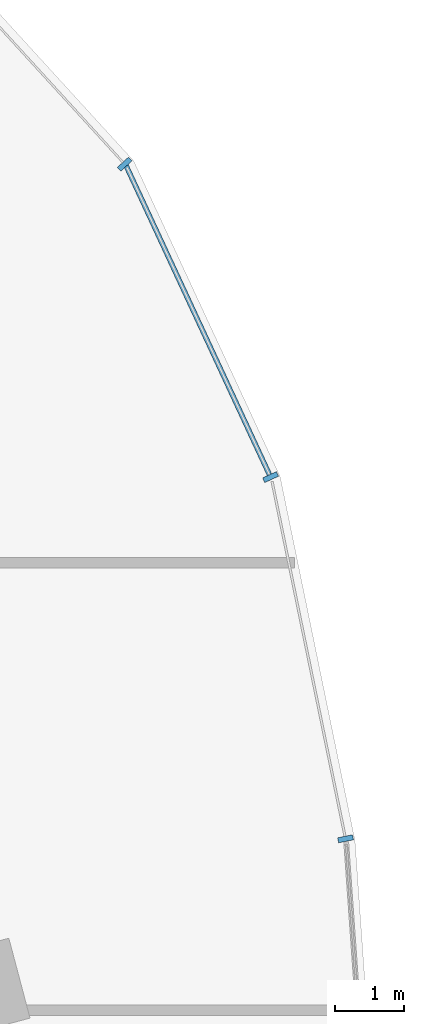
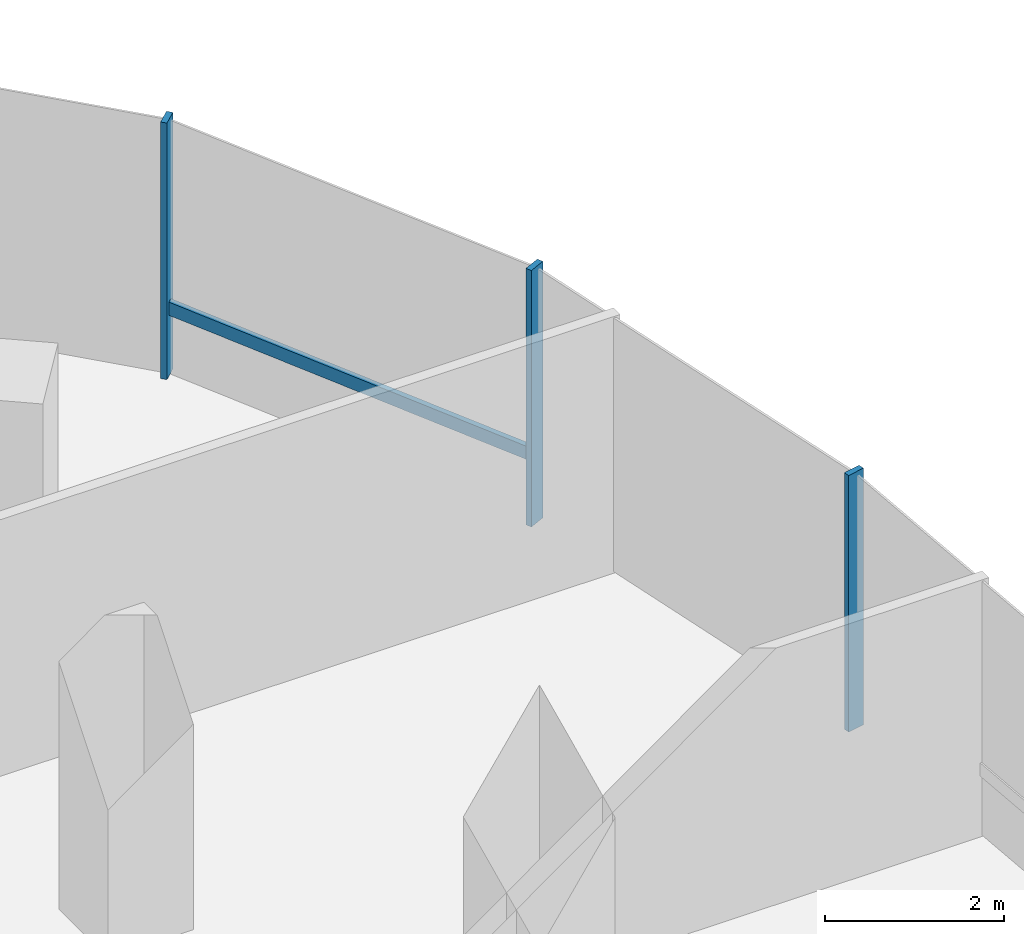
# One storey, part 8 of 22: 4 members, 1 element without a shape of its own.
"""IFC4 building model written with IfcOpenShell, lengths in metres."""

from ifc_helpers import new_model, si_unit, direction, frame, origin, origin_2d, place, context, subcontext, project, spatial, rectangle, extrude, material, material_profile, profile_set, type_object, element, aggregate, save


model = new_model("IFC4")

# Units and contexts
model_context = context("Model", 3, precision=1e-05, world=origin(), true_north=direction((0.0, 1.0)))
body_context = subcontext(model_context, "Body", "Model", "MODEL_VIEW")
ifc_project = project(units=[si_unit("LENGTHUNIT", "METRE"), si_unit("AREAUNIT", "SQUARE_METRE"), si_unit("VOLUMEUNIT", "CUBIC_METRE"), si_unit("PLANEANGLEUNIT", "RADIAN"), si_unit("MASSUNIT", "GRAM", prefix="KILO"), si_unit("THERMODYNAMICTEMPERATUREUNIT", "KELVIN"), si_unit("POWERUNIT", "WATT")], contexts=[model_context])

# Site, building, storey
site_placement = place(None, origin())
site = spatial("IfcSite", under=ifc_project, at=site_placement, CompositionType="ELEMENT")
building_placement = place(site_placement, origin())
building = spatial("IfcBuilding", under=site, at=building_placement, Name="Cundina Bronze Exchange", CompositionType="ELEMENT")
storey_placement = place(building_placement, frame((0.0, 0.0, 35.39990234375)))
storey = spatial("IfcBuildingStorey", under=building, at=storey_placement, Name="L08", CompositionType="ELEMENT", Elevation=35.39990234375)

# Curtain wall, members
ifc_material = material(Name="Anodised Bronze Aluminium 6063-T6", Category="aluminium")
curtain_wall_type = type_object("IfcCurtainWallType", Name="CWS-TRD-LOW", PredefinedType="NOTDEFINED", material=ifc_material)
curtain_wall_placement = place(storey_placement, origin())
curtain_wall = element("IfcCurtainWall", 1, at=curtain_wall_placement, inside=storey, type_object=curtain_wall_type, Name="L08 CW-02 Curtain Wall Run CWR-L08-E1", PredefinedType="NOTDEFINED")
ifc_material_profile_1 = material_profile(ifc_material, rectangle(XDim=0.074951171875, YDim=0.219970703125, at=origin_2d()), Name="AL75X220", Category="aluminium")
ifc_profile_set_1 = profile_set([ifc_material_profile_1], Name="Anodised Bronze Aluminium 6063-T6")
member_type_1 = type_object("IfcMemberType", Name="CWM-MUL-220", PredefinedType="MULLION", material=ifc_profile_set_1)
member_1_placement = place(storey_placement, frame((50.717041015625, 8.67822265625, 0.0), z_axis=(0.0, 0.0, 1.0), x_axis=(-0.201419845156, 0.979505000486, 0.0)))
member_1 = element("IfcMember", 2, at=member_1_placement, type_object=member_type_1, Name="CW-02 Mullion 2", PredefinedType="MULLION", context=body_context, shape_type="SweptSolid", body=[
    extrude(rectangle(XDim=0.074951171875, YDim=0.219970703125, at=origin_2d()), origin(), (0.0, 0.0, 1.0), 3.5),
])
member_2_placement = place(storey_placement, frame((49.6279296875, 13.931884765625, 0.0), z_axis=(0.0, 0.0, 1.0), x_axis=(-0.42087749791, 0.907117485088, 0.0)))
member_2 = element("IfcMember", 3, at=member_2_placement, type_object=member_type_1, Name="CW-02 Mullion 3", PredefinedType="MULLION", context=body_context, shape_type="SweptSolid", body=[
    extrude(rectangle(XDim=0.074951171875, YDim=0.219970703125, at=origin_2d()), origin(), (0.0, 0.0, 1.0), 3.5),
])
member_3_placement = place(storey_placement, frame((47.508544921875, 18.47705078125, 0.0), z_axis=(0.0, 0.0, 1.0), x_axis=(-0.674302387584, 0.738455340626, 0.0)))
member_3 = element("IfcMember", 4, at=member_3_placement, type_object=member_type_1, Name="CW-02 Mullion 4", PredefinedType="MULLION", context=body_context, shape_type="SweptSolid", body=[
    extrude(rectangle(XDim=0.074951171875, YDim=0.219970703125, at=origin_2d()), origin(), (0.0, 0.0, 1.0), 3.5),
])
ifc_material_profile_2 = material_profile(ifc_material, rectangle(XDim=0.070068359375, YDim=0.179931640625, at=origin_2d()), Name="AL70X180", Category="aluminium")
ifc_profile_set_2 = profile_set([ifc_material_profile_2], Name="Anodised Bronze Aluminium 6063-T6")
member_type_2 = type_object("IfcMemberType", Name="CWM-TRN-180", PredefinedType="USERDEFINED", material=ifc_profile_set_2)
member_4_placement = place(storey_placement, frame((49.610595703125, 13.96923828125, 0.920166015625), z_axis=(-0.420811422796, 0.907148139195, 0.0), x_axis=(-0.907148139195, -0.420811422796, 0.0)))
member_4 = element("IfcMember", 5, at=member_4_placement, type_object=member_type_2, Name="CW-02 Spandrel Transom 3", ObjectType="TRANSOM", PredefinedType="USERDEFINED", context=body_context, shape_type="SweptSolid", body=[
    extrude(rectangle(XDim=0.070068359375, YDim=0.179931640625, at=origin_2d()), origin(), (0.0, 0.0, 1.0), 4.95166015625),
])
aggregate(curtain_wall, [member_1, member_2, member_4, member_3])

save(model, "model.ifc")
